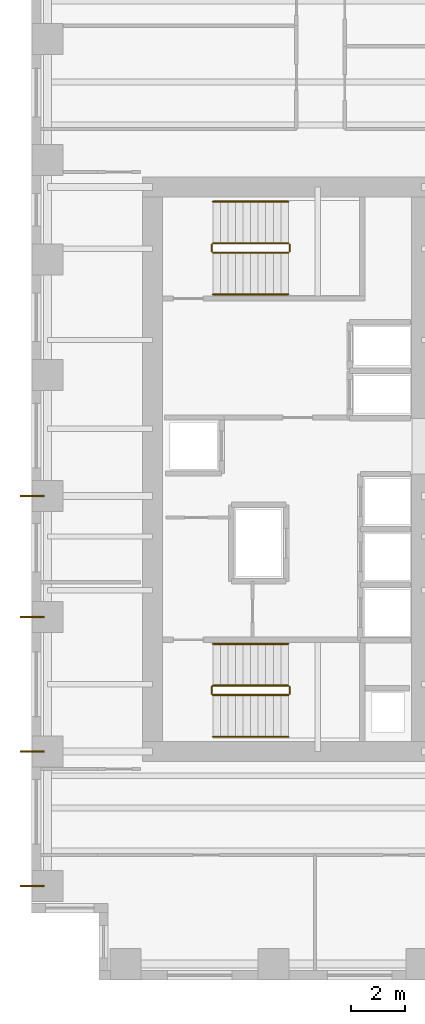
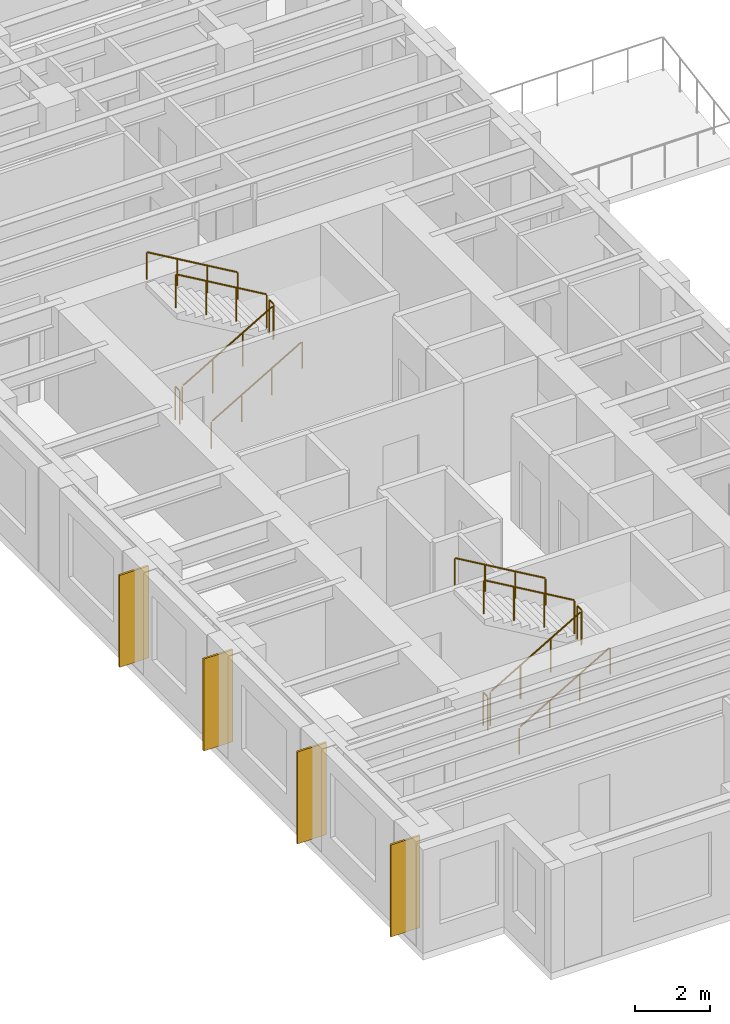
# One storey, part 10 of 11: 12 railings, 4 coverings.
"""IFC4 building model written with IfcOpenShell, lengths in metres."""

from ifc_helpers import new_model, si_unit, direction, frame, origin, origin_2d, place, context, subcontext, project, spatial, rectangle, circle, extrude, source, transform, mapped, material, layer, layer_set, type_object, element, save


model = new_model("IFC4")

# Units and contexts
model_context = context("Model", 3, precision=1e-05, world=origin(), true_north=direction((0.0, 1.0)))
body_context = subcontext(model_context, "Body", "Model", "MODEL_VIEW")
ifc_project = project(units=[si_unit("LENGTHUNIT", "METRE"), si_unit("AREAUNIT", "SQUARE_METRE"), si_unit("VOLUMEUNIT", "CUBIC_METRE"), si_unit("PLANEANGLEUNIT", "RADIAN"), si_unit("MASSUNIT", "GRAM", prefix="KILO")], contexts=[model_context])

# Site, building, storey
site_placement = place(None, origin())
site = spatial("IfcSite", under=ifc_project, at=site_placement, CompositionType="ELEMENT")
building_placement = place(site_placement, origin())
building = spatial("IfcBuilding", under=site, at=building_placement, Name="Kharzan Plaza Tower", CompositionType="ELEMENT")
storey_placement = place(building_placement, frame((0.0, 0.0, 127.800048828125)))
storey = spatial("IfcBuildingStorey", under=building, at=storey_placement, Name="L34", CompositionType="ELEMENT", Elevation=127.800048828125)

# Railings
ifc_material_1 = material(Name="Painted Galvanized Architectural Steel", Category="steel")
ifc_layer_1 = layer(ifc_material_1, 0.074951171875)
ifc_layer_set_1 = layer_set([ifc_layer_1], Name="Painted Galvanized Architectural Steel")
railing_type_1 = type_object("IfcRailingType", Name="RL-GUARD-1120", PredefinedType="BALUSTRADE", material=ifc_layer_set_1)
shared_shape_1 = source(origin(), body_context, "Body", "SweptSolid", [
    extrude(circle(Radius=0.02392578125, at=origin_2d()), frame((0.0, 0.0263671875, 1.09619140625), z_axis=(0.0, 1.0, 0.0), x_axis=(-1.0, 0.0, 0.0)), (0.0, 0.0, 1.0), 0.197021484375),
    extrude(circle(Radius=0.02099609375, at=origin_2d()), origin(), (0.0, 0.0, 1.0), 1.072021484375),
    extrude(circle(Radius=0.02099609375, at=origin_2d()), frame((0.0, 0.25, 0.0)), (0.0, 0.0, 1.0), 1.072021484375),
])
for number, where, name in (
    (1, (9.60009765625, 10.64990234375, 1.800048828125), "L34 ST-1 stair guard 2"),
    (2, (6.699951171875, 10.64990234375, 0.0), "L34 ST-1 stair guard 4"),
    (3, (9.60009765625, 27.10009765625, 1.800048828125), "L34 ST-2 stair guard 2"),
    (4, (6.699951171875, 27.10009765625, 0.0), "L34 ST-2 stair guard 4"),
):
    element("IfcRailing", number, at=place(storey_placement, frame(where)), inside=storey, type_object=railing_type_1, Name=name, PredefinedType="BALUSTRADE", context=body_context, shape_type="MappedRepresentation", body=[
        mapped(shared_shape_1, transform((0.0, 0.0, 0.0), x_axis=(1.0, 0.0, 0.0), y_axis=(0.0, 1.0, 0.0), z_axis=(0.0, 0.0, 1.0))),
    ])

# Coverings
ifc_material_2 = material(Name="Honed Riyadh Limestone", Category="masonry")
ifc_layer_2 = layer(ifc_material_2, 0.06005859375)
ifc_layer_set_2 = layer_set([ifc_layer_2], Name="Honed Riyadh Limestone")
covering_type = type_object("IfcCoveringType", Name="COV-CLAD-STONE", PredefinedType="CLADDING", material=ifc_layer_set_2)
shared_shape_2 = source(origin(), body_context, "Body", "SweptSolid", [
    extrude(rectangle(XDim=0.06005859375, YDim=0.89990234375, at=origin_2d()), origin(), (0.0, 0.0, 1.0), 3.0),
])
for number, where, z_axis, x_axis, name in (
    (5, (0.02001953125, 13.5, 0.099853515625), (0.0, 0.0, 1.0), (0.0, 1.0, 0.0), "L34 Limestone Pier Rainscreen Cladding TCW-135"),
    (6, (0.02001953125, 18.0, 0.099853515625), (0.0, 0.0, 1.0), (0.0, 1.0, 0.0), "L34 Limestone Pier Rainscreen Cladding TCW-180"),
    (7, (0.02001953125, 3.5, 0.099853515625), (0.0, 0.0, 1.0), (0.0, 1.0, 0.0), "L34 Limestone Pier Rainscreen Cladding TCW-35"),
    (8, (0.02001953125, 8.5, 0.099853515625), (0.0, 0.0, 1.0), (0.0, 1.0, 0.0), "L34 Limestone Pier Rainscreen Cladding TCW-85"),
):
    element("IfcCovering", number, at=place(storey_placement, frame(where, z_axis=z_axis, x_axis=x_axis)), inside=storey, type_object=covering_type, Name=name, PredefinedType="CLADDING", context=body_context, shape_type="MappedRepresentation", body=[
        mapped(shared_shape_2, transform((0.0, 0.0, 0.0), x_axis=(1.0, 0.0, 0.0), y_axis=(0.0, 1.0, 0.0), z_axis=(0.0, 0.0, 1.0))),
    ])

# Railings
shared_shape_3 = source(origin(), body_context, "Body", "SweptSolid", [
    extrude(circle(Radius=0.02392578125, at=origin_2d()), frame((0.02294921875, 0.0, 1.109375), z_axis=(0.863360870873, 0.0, 0.504586966384), x_axis=(0.0, 1.0, 0.0)), (0.0, 0.0, 1.0), 3.190185546875),
    extrude(circle(Radius=0.02099609375, at=origin_2d()), origin(), (0.0, 0.0, 1.0), 1.072021484375),
    extrude(circle(Radius=0.02099609375, at=origin_2d()), frame((0.933349609375, 0.0, 0.54541015625)), (0.0, 0.0, 1.0), 1.072021484375),
    extrude(circle(Radius=0.02099609375, at=origin_2d()), frame((1.86669921875, 0.0, 1.091064453125)), (0.0, 0.0, 1.0), 1.072021484375),
    extrude(circle(Radius=0.02099609375, at=origin_2d()), frame((2.800048828125, 0.0, 1.636474609375)), (0.0, 0.0, 1.0), 1.072021484375),
])
for number, where, name in (
    (9, (6.75, 10.60009765625, 0.16357421875), "L34 ST-1 stair guard 1"),
    (10, (6.75, 27.050048828125, 0.16357421875), "L34 ST-2 stair guard 1"),
):
    element("IfcRailing", number, at=place(storey_placement, frame(where)), inside=storey, type_object=railing_type_1, Name=name, PredefinedType="BALUSTRADE", context=body_context, shape_type="MappedRepresentation", body=[
        mapped(shared_shape_3, transform((0.0, 0.0, 0.0), x_axis=(1.0, 0.0, 0.0), y_axis=(0.0, 1.0, 0.0), z_axis=(0.0, 0.0, 1.0))),
    ])
ifc_material_3 = material(Name="Brushed Stainless Steel", Category="steel")
ifc_layer_3 = layer(ifc_material_3, 0.050048828125)
ifc_layer_set_3 = layer_set([ifc_layer_3], Name="Brushed Stainless Steel")
railing_type_2 = type_object("IfcRailingType", Name="RL-STAIR-HR920", PredefinedType="HANDRAIL", material=ifc_layer_set_3)
shared_shape_4 = source(origin(), body_context, "Body", "SweptSolid", [
    extrude(circle(Radius=0.02392578125, at=origin_2d()), frame((0.02294921875, 0.0, 0.88916015625), z_axis=(0.863360870873, 0.0, 0.504586966384), x_axis=(0.0, 1.0, 0.0)), (0.0, 0.0, 1.0), 3.190185546875),
    extrude(circle(Radius=0.02099609375, at=origin_2d()), origin(), (0.0, 0.0, 1.0), 0.851806640625),
    extrude(circle(Radius=0.02099609375, at=origin_2d()), frame((0.933349609375, 0.0, 0.54541015625)), (0.0, 0.0, 1.0), 0.851806640625),
    extrude(circle(Radius=0.02099609375, at=origin_2d()), frame((1.86669921875, 0.0, 1.091064453125)), (0.0, 0.0, 1.0), 0.851806640625),
    extrude(circle(Radius=0.02099609375, at=origin_2d()), frame((2.800048828125, 0.0, 1.636474609375)), (0.0, 0.0, 1.0), 0.851806640625),
])
for number, where, name in (
    (11, (6.75, 9.050048828125, 0.16357421875), "L34 ST-1 stair handrail 1"),
    (12, (6.75, 25.5, 0.16357421875), "L34 ST-2 stair handrail 1"),
):
    element("IfcRailing", number, at=place(storey_placement, frame(where)), inside=storey, type_object=railing_type_2, Name=name, PredefinedType="HANDRAIL", context=body_context, shape_type="MappedRepresentation", body=[
        mapped(shared_shape_4, transform((0.0, 0.0, 0.0), x_axis=(1.0, 0.0, 0.0), y_axis=(0.0, 1.0, 0.0), z_axis=(0.0, 0.0, 1.0))),
    ])
shared_shape_5 = source(origin(), body_context, "Body", "SweptSolid", [
    extrude(circle(Radius=0.02392578125, at=origin_2d()), frame((-0.02294921875, 0.0, 1.109375), z_axis=(-0.863393664356, 0.0, 0.504530851732), x_axis=(0.0, -1.0, 0.0)), (0.0, 0.0, 1.0), 3.190185546875),
    extrude(circle(Radius=0.02099609375, at=origin_2d()), origin(), (0.0, 0.0, 1.0), 1.072021484375),
    extrude(circle(Radius=0.02099609375, at=origin_2d()), frame((-0.933349609375, 0.0, 0.54541015625)), (0.0, 0.0, 1.0), 1.072021484375),
    extrude(circle(Radius=0.02099609375, at=origin_2d()), frame((-1.86669921875, 0.0, 1.0908203125)), (0.0, 0.0, 1.0), 1.072021484375),
    extrude(circle(Radius=0.02099609375, at=origin_2d()), frame((-2.800048828125, 0.0, 1.63623046875)), (0.0, 0.0, 1.0), 1.072021484375),
])
for number, where, name in (
    (13, (9.550048828125, 10.949951171875, 1.963623046875), "L34 ST-1 stair guard 3"),
    (14, (9.550048828125, 27.39990234375, 1.963623046875), "L34 ST-2 stair guard 3"),
):
    element("IfcRailing", number, at=place(storey_placement, frame(where)), inside=storey, type_object=railing_type_1, Name=name, PredefinedType="BALUSTRADE", context=body_context, shape_type="MappedRepresentation", body=[
        mapped(shared_shape_5, transform((0.0, 0.0, 0.0), x_axis=(1.0, 0.0, 0.0), y_axis=(0.0, 1.0, 0.0), z_axis=(0.0, 0.0, 1.0))),
    ])
shared_shape_6 = source(origin(), body_context, "Body", "SweptSolid", [
    extrude(circle(Radius=0.02392578125, at=origin_2d()), frame((-0.02294921875, 0.0, 0.88916015625), z_axis=(-0.863393664356, 0.0, 0.504530851732), x_axis=(0.0, -1.0, 0.0)), (0.0, 0.0, 1.0), 3.190185546875),
    extrude(circle(Radius=0.02099609375, at=origin_2d()), origin(), (0.0, 0.0, 1.0), 0.851806640625),
    extrude(circle(Radius=0.02099609375, at=origin_2d()), frame((-0.933349609375, 0.0, 0.54541015625)), (0.0, 0.0, 1.0), 0.851806640625),
    extrude(circle(Radius=0.02099609375, at=origin_2d()), frame((-1.86669921875, 0.0, 1.0908203125)), (0.0, 0.0, 1.0), 0.851806640625),
    extrude(circle(Radius=0.02099609375, at=origin_2d()), frame((-2.800048828125, 0.0, 1.63623046875)), (0.0, 0.0, 1.0), 0.851806640625),
])
for number, where, name in (
    (15, (9.550048828125, 12.5, 1.963623046875), "L34 ST-1 stair handrail 2"),
    (16, (9.550048828125, 28.949951171875, 1.963623046875), "L34 ST-2 stair handrail 2"),
):
    element("IfcRailing", number, at=place(storey_placement, frame(where)), inside=storey, type_object=railing_type_2, Name=name, PredefinedType="HANDRAIL", context=body_context, shape_type="MappedRepresentation", body=[
        mapped(shared_shape_6, transform((0.0, 0.0, 0.0), x_axis=(1.0, 0.0, 0.0), y_axis=(0.0, 1.0, 0.0), z_axis=(0.0, 0.0, 1.0))),
    ])

save(model, "model.ifc")
